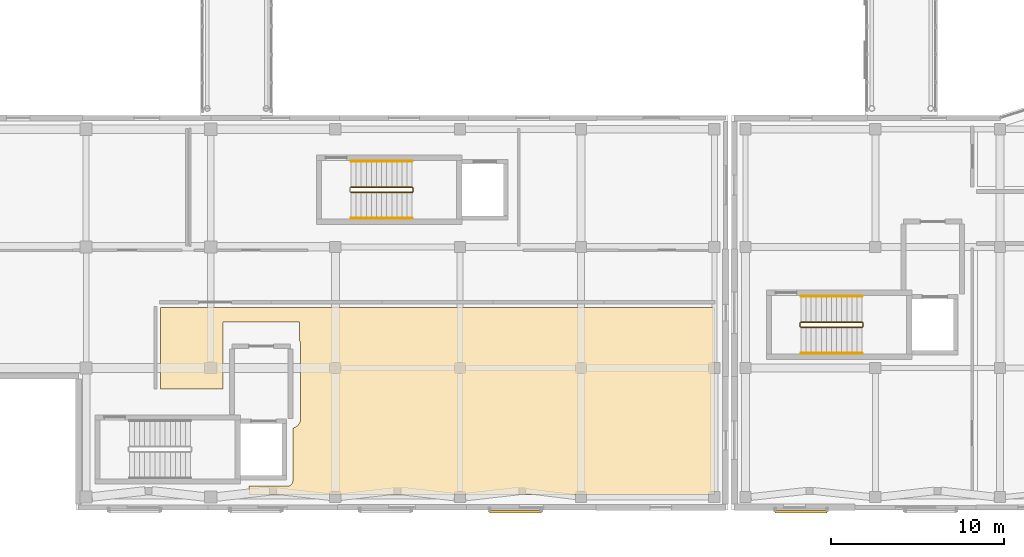
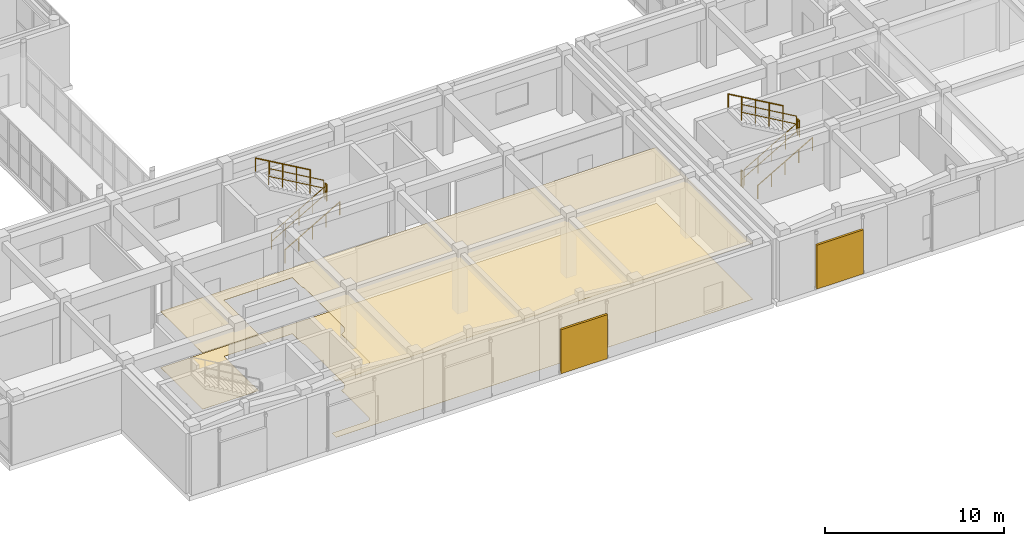
# One storey, part 134 of 142: 11 railings, 2 coverings, 2 shading devices.
"""IFC4 building model written with IfcOpenShell, lengths in metres."""

from ifc_helpers import new_model, si_unit, direction, frame, origin, origin_2d, place, context, subcontext, project, spatial, polyline, rectangle, circle, outline, extrude, material, layer, layer_set, type_object, element, save


model = new_model("IFC4")

# Units and contexts
model_context = context("Model", 3, precision=1e-05, world=origin(), true_north=direction((0.0, 1.0)))
body_context = subcontext(model_context, "Body", "Model", "MODEL_VIEW")
ifc_project = project(units=[si_unit("LENGTHUNIT", "METRE"), si_unit("AREAUNIT", "SQUARE_METRE"), si_unit("VOLUMEUNIT", "CUBIC_METRE"), si_unit("PLANEANGLEUNIT", "RADIAN"), si_unit("MASSUNIT", "GRAM", prefix="KILO")], contexts=[model_context])

# Site, building, storey
site_placement = place(None, origin())
site = spatial("IfcSite", under=ifc_project, at=site_placement, CompositionType="ELEMENT")
building_placement = place(site_placement, origin())
building = spatial("IfcBuilding", under=site, at=building_placement, Name="Valcora Specialist Clinic", CompositionType="ELEMENT")
storey_placement = place(building_placement, frame((0.0, 0.0, 5.10009765625)))
storey = spatial("IfcBuildingStorey", under=building, at=storey_placement, Name="L01", CompositionType="ELEMENT", Elevation=5.10009765625)

# Coverings
ifc_material_1 = material(Name="Acoustic Mineral Ceiling Tile")
ifc_layer_1 = layer(ifc_material_1, 0.02001953125)
ifc_layer_set_1 = layer_set([ifc_layer_1], Name="Acoustic Mineral Ceiling Tile")
covering_type_1 = type_object("IfcCoveringType", Name="TY-CV-CLG020", PredefinedType="CEILING", material=ifc_layer_set_1)
covering_1_placement = place(storey_placement, frame((0.0, 0.0, 3.81982421875)))
element("IfcCovering", 1, at=covering_1_placement, inside=storey, type_object=covering_type_1, Name="Acoustic ceiling tile 11", PredefinedType="CEILING", context=body_context, shape_type="SweptSolid", body=[
    extrude(outline(polyline([(52.5, 11.699951171875), (52.5, 0.89990234375), (25.60009765625, 0.89990234375), (25.60009765625, 1.3798828125), (27.840087890625, 1.3798828125), (27.868896484375, 1.381103515625), (27.89892578125, 1.385986328125), (27.927001953125, 1.39306640625), (27.955078125, 1.403076171875), (27.98095703125, 1.4150390625), (28.007080078125, 1.430908203125), (28.030029296875, 1.447998046875), (28.052001953125, 1.468017578125), (28.072021484375, 1.489990234375), (28.089111328125, 1.512939453125), (28.10498046875, 1.5390625), (28.116943359375, 1.56494140625), (28.126953125, 1.593017578125), (28.134033203125, 1.62109375), (28.138916015625, 1.65087890625), (28.139892578125, 1.679931640625), (28.139892578125, 4.73291015625), (28.153076171875, 4.735107421875), (28.178955078125, 4.741943359375), (28.198974609375, 4.7490234375), (28.22509765625, 4.758056640625), (28.257080078125, 4.77099609375), (28.281982421875, 4.782958984375), (28.302978515625, 4.7939453125), (28.326904296875, 4.80810546875), (28.35888671875, 4.830078125), (28.381103515625, 4.846923828125), (28.39892578125, 4.861083984375), (28.4189453125, 4.87890625), (28.44091796875, 4.90087890625), (28.458984375, 4.9208984375), (28.472900390625, 4.93896484375), (28.489990234375, 4.9609375), (28.511962890625, 4.992919921875), (28.52587890625, 5.01708984375), (28.537109375, 5.0380859375), (28.549072265625, 5.06298828125), (28.56201171875, 5.094970703125), (28.571044921875, 5.12109375), (28.577880859375, 5.14111328125), (28.5849609375, 5.1669921875), (28.592041015625, 5.202880859375), (28.595947265625, 5.23095703125), (28.59912109375, 5.261962890625), (28.60009765625, 5.2890625), (28.60009765625, 5.300048828125), (28.60009765625, 9.5), (28.60009765625, 9.510986328125), (28.59912109375, 9.5380859375), (28.595947265625, 9.569091796875), (28.592041015625, 9.596923828125), (28.5849609375, 9.633056640625), (28.577880859375, 9.658935546875), (28.571044921875, 9.678955078125), (28.56201171875, 9.705078125), (28.549072265625, 9.737060546875), (28.537109375, 9.761962890625), (28.52587890625, 9.782958984375), (28.52001953125, 9.7939453125), (28.52001953125, 10.860107421875), (24.1201171875, 10.860107421875), (24.1201171875, 7.0), (20.5, 7.0), (20.5, 11.699951171875), (52.5, 11.699951171875)])), origin(), (0.0, 0.0, 1.0), 0.02001953125),
])
ifc_material_2 = material(Name="Antimicrobial Vinyl Clinical Flooring")
ifc_layer_2 = layer(ifc_material_2, 0.008056640625)
ifc_layer_set_2 = layer_set([ifc_layer_2], Name="Antimicrobial Vinyl Clinical Flooring")
covering_type_2 = type_object("IfcCoveringType", Name="TY-CV-FLR008", PredefinedType="FLOORING", material=ifc_layer_set_2)
covering_2_placement = place(storey_placement, origin())
element("IfcCovering", 2, at=covering_2_placement, inside=storey, type_object=covering_type_2, Name="Antimicrobial clinical flooring 11", PredefinedType="FLOORING", context=body_context, shape_type="SweptSolid", body=[
    extrude(outline(polyline([(52.5, 11.699951171875), (52.5, 0.89990234375), (25.60009765625, 0.89990234375), (25.60009765625, 1.3798828125), (27.840087890625, 1.3798828125), (27.868896484375, 1.381103515625), (27.89892578125, 1.385986328125), (27.927001953125, 1.39306640625), (27.955078125, 1.403076171875), (27.98095703125, 1.4150390625), (28.007080078125, 1.430908203125), (28.030029296875, 1.447998046875), (28.052001953125, 1.468017578125), (28.072021484375, 1.489990234375), (28.089111328125, 1.512939453125), (28.10498046875, 1.5390625), (28.116943359375, 1.56494140625), (28.126953125, 1.593017578125), (28.134033203125, 1.62109375), (28.138916015625, 1.65087890625), (28.139892578125, 1.679931640625), (28.139892578125, 4.73291015625), (28.153076171875, 4.735107421875), (28.178955078125, 4.741943359375), (28.198974609375, 4.7490234375), (28.22509765625, 4.758056640625), (28.257080078125, 4.77099609375), (28.281982421875, 4.782958984375), (28.302978515625, 4.7939453125), (28.326904296875, 4.80810546875), (28.35888671875, 4.830078125), (28.381103515625, 4.846923828125), (28.39892578125, 4.861083984375), (28.4189453125, 4.87890625), (28.44091796875, 4.90087890625), (28.458984375, 4.9208984375), (28.472900390625, 4.93896484375), (28.489990234375, 4.9609375), (28.511962890625, 4.992919921875), (28.52587890625, 5.01708984375), (28.537109375, 5.0380859375), (28.549072265625, 5.06298828125), (28.56201171875, 5.094970703125), (28.571044921875, 5.12109375), (28.577880859375, 5.14111328125), (28.5849609375, 5.1669921875), (28.592041015625, 5.202880859375), (28.595947265625, 5.23095703125), (28.59912109375, 5.261962890625), (28.60009765625, 5.2890625), (28.60009765625, 5.300048828125), (28.60009765625, 9.5), (28.60009765625, 9.510986328125), (28.59912109375, 9.5380859375), (28.595947265625, 9.569091796875), (28.592041015625, 9.596923828125), (28.5849609375, 9.633056640625), (28.577880859375, 9.658935546875), (28.571044921875, 9.678955078125), (28.56201171875, 9.705078125), (28.549072265625, 9.737060546875), (28.537109375, 9.761962890625), (28.52587890625, 9.782958984375), (28.52001953125, 9.7939453125), (28.52001953125, 10.860107421875), (24.1201171875, 10.860107421875), (24.1201171875, 7.0), (20.5, 7.0), (20.5, 11.699951171875), (52.5, 11.699951171875)])), origin(), (0.0, 0.0, 1.0), 0.0078125),
])

# Railings
ifc_material_3 = material(Name="Stainless Steel AISI 316", Category="steel")
railing_type_1 = type_object("IfcRailingType", Name="TY-RL-GRD112", PredefinedType="GUARDRAIL", material=ifc_material_3)
railing_1_placement = place(storey_placement, frame((31.5, 18.35009765625, 0.169921875)))
element("IfcRailing", 3, at=railing_1_placement, inside=storey, type_object=railing_type_1, Name="L01 ST-V5B stair guard 1", PredefinedType="GUARDRAIL", context=body_context, shape_type="SweptSolid", body=[
    extrude(circle(Radius=0.02392578125, at=origin_2d()), frame((0.0, 0.0, 1.09619140625), z_axis=(0.866428212428, 0.0, 0.499301665038), x_axis=(0.0, 1.0, 0.0)), (0.0, 0.0, 1.0), 4.085693359375),
    extrude(circle(Radius=0.02392578125, at=origin_2d()), frame((0.0, 0.0, 0.56005859375), z_axis=(0.866428212428, 0.0, 0.499301665038), x_axis=(0.0, 1.0, 0.0)), (0.0, 0.0, 1.0), 4.085693359375),
    extrude(circle(Radius=0.02099609375, at=origin_2d()), origin(), (0.0, 0.0, 1.0), 1.072021484375),
    extrude(circle(Radius=0.02099609375, at=origin_2d()), frame((0.885009765625, 0.0, 0.510009765625)), (0.0, 0.0, 1.0), 1.072021484375),
    extrude(circle(Radius=0.02099609375, at=origin_2d()), frame((1.77001953125, 0.0, 1.02001953125)), (0.0, 0.0, 1.0), 1.072021484375),
    extrude(circle(Radius=0.02099609375, at=origin_2d()), frame((2.655029296875, 0.0, 1.530029296875)), (0.0, 0.0, 1.0), 1.072021484375),
    extrude(circle(Radius=0.02099609375, at=origin_2d()), frame((3.5400390625, 0.0, 2.0400390625)), (0.0, 0.0, 1.0), 1.072021484375),
])
railing_2_placement = place(storey_placement, frame((35.090087890625, 18.39990234375, 2.2099609375)))
element("IfcRailing", 4, at=railing_2_placement, inside=storey, type_object=railing_type_1, Name="L01 ST-V5B stair guard 2", PredefinedType="GUARDRAIL", context=body_context, shape_type="SweptSolid", body=[
    extrude(circle(Radius=0.02392578125, at=origin_2d()), frame((0.0, 0.0, 1.09619140625), z_axis=(0.0, 1.0, 0.0), x_axis=(-1.0, 0.0, 0.0)), (0.0, 0.0, 1.0), 0.2001953125),
    extrude(circle(Radius=0.02392578125, at=origin_2d()), frame((0.0, 0.0, 0.56005859375), z_axis=(0.0, 1.0, 0.0), x_axis=(-1.0, 0.0, 0.0)), (0.0, 0.0, 1.0), 0.2001953125),
    extrude(circle(Radius=0.02099609375, at=origin_2d()), origin(), (0.0, 0.0, 1.0), 1.072021484375),
    extrude(circle(Radius=0.02099609375, at=origin_2d()), frame((0.0, 0.2001953125, 0.0)), (0.0, 0.0, 1.0), 1.072021484375),
])
railing_3_placement = place(storey_placement, frame((35.0400390625, 18.64990234375, 2.3798828125)))
element("IfcRailing", 5, at=railing_3_placement, inside=storey, type_object=railing_type_1, Name="L01 ST-V5B stair guard 3", PredefinedType="GUARDRAIL", context=body_context, shape_type="SweptSolid", body=[
    extrude(circle(Radius=0.02392578125, at=origin_2d()), frame((0.0, 0.0, 1.09619140625), z_axis=(-0.866428212428, 0.0, 0.499301665038), x_axis=(0.0, -1.0, 0.0)), (0.0, 0.0, 1.0), 4.085693359375),
    extrude(circle(Radius=0.02392578125, at=origin_2d()), frame((0.0, 0.0, 0.56005859375), z_axis=(-0.866428212428, 0.0, 0.499301665038), x_axis=(0.0, -1.0, 0.0)), (0.0, 0.0, 1.0), 4.085693359375),
    extrude(circle(Radius=0.02099609375, at=origin_2d()), origin(), (0.0, 0.0, 1.0), 1.072021484375),
    extrude(circle(Radius=0.02099609375, at=origin_2d()), frame((-0.885009765625, 0.0, 0.510009765625)), (0.0, 0.0, 1.0), 1.072021484375),
    extrude(circle(Radius=0.02099609375, at=origin_2d()), frame((-1.77001953125, 0.0, 1.02001953125)), (0.0, 0.0, 1.0), 1.072021484375),
    extrude(circle(Radius=0.02099609375, at=origin_2d()), frame((-2.655029296875, 0.0, 1.530029296875)), (0.0, 0.0, 1.0), 1.072021484375),
    extrude(circle(Radius=0.02099609375, at=origin_2d()), frame((-3.5400390625, 0.0, 2.0400390625)), (0.0, 0.0, 1.0), 1.072021484375),
])
railing_4_placement = place(storey_placement, frame((57.5, 10.550048828125, 0.169921875)))
element("IfcRailing", 6, at=railing_4_placement, inside=storey, type_object=railing_type_1, Name="L01 ST-V6A stair guard 1", PredefinedType="GUARDRAIL", context=body_context, shape_type="SweptSolid", body=[
    extrude(circle(Radius=0.02392578125, at=origin_2d()), frame((0.0, 0.0, 1.09619140625), z_axis=(0.866428212428, 0.0, 0.499301665038), x_axis=(0.0, 1.0, 0.0)), (0.0, 0.0, 1.0), 4.085693359375),
    extrude(circle(Radius=0.02392578125, at=origin_2d()), frame((0.0, 0.0, 0.56005859375), z_axis=(0.866428212428, 0.0, 0.499301665038), x_axis=(0.0, 1.0, 0.0)), (0.0, 0.0, 1.0), 4.085693359375),
    extrude(circle(Radius=0.02099609375, at=origin_2d()), origin(), (0.0, 0.0, 1.0), 1.072021484375),
    extrude(circle(Radius=0.02099609375, at=origin_2d()), frame((0.885009765625, 0.0, 0.510009765625)), (0.0, 0.0, 1.0), 1.072021484375),
    extrude(circle(Radius=0.02099609375, at=origin_2d()), frame((1.77001953125, 0.0, 1.02001953125)), (0.0, 0.0, 1.0), 1.072021484375),
    extrude(circle(Radius=0.02099609375, at=origin_2d()), frame((2.655029296875, 0.0, 1.530029296875)), (0.0, 0.0, 1.0), 1.072021484375),
    extrude(circle(Radius=0.02099609375, at=origin_2d()), frame((3.5400390625, 0.0, 2.0400390625)), (0.0, 0.0, 1.0), 1.072021484375),
])
railing_5_placement = place(storey_placement, frame((61.090087890625, 10.60009765625, 2.2099609375)))
element("IfcRailing", 7, at=railing_5_placement, inside=storey, type_object=railing_type_1, Name="L01 ST-V6A stair guard 2", PredefinedType="GUARDRAIL", context=body_context, shape_type="SweptSolid", body=[
    extrude(circle(Radius=0.02392578125, at=origin_2d()), frame((0.0, 0.0, 1.09619140625), z_axis=(0.0, 1.0, 0.0), x_axis=(-1.0, 0.0, 0.0)), (0.0, 0.0, 1.0), 0.199951171875),
    extrude(circle(Radius=0.02392578125, at=origin_2d()), frame((0.0, 0.0, 0.56005859375), z_axis=(0.0, 1.0, 0.0), x_axis=(-1.0, 0.0, 0.0)), (0.0, 0.0, 1.0), 0.199951171875),
    extrude(circle(Radius=0.02099609375, at=origin_2d()), origin(), (0.0, 0.0, 1.0), 1.072021484375),
    extrude(circle(Radius=0.02099609375, at=origin_2d()), frame((0.0, 0.199951171875, 0.0)), (0.0, 0.0, 1.0), 1.072021484375),
])
railing_6_placement = place(storey_placement, frame((61.0400390625, 10.85009765625, 2.3798828125)))
element("IfcRailing", 8, at=railing_6_placement, inside=storey, type_object=railing_type_1, Name="L01 ST-V6A stair guard 3", PredefinedType="GUARDRAIL", context=body_context, shape_type="SweptSolid", body=[
    extrude(circle(Radius=0.02392578125, at=origin_2d()), frame((0.0, 0.0, 1.09619140625), z_axis=(-0.866428212428, 0.0, 0.499301665038), x_axis=(0.0, -1.0, 0.0)), (0.0, 0.0, 1.0), 4.085693359375),
    extrude(circle(Radius=0.02392578125, at=origin_2d()), frame((0.0, 0.0, 0.56005859375), z_axis=(-0.866428212428, 0.0, 0.499301665038), x_axis=(0.0, -1.0, 0.0)), (0.0, 0.0, 1.0), 4.085693359375),
    extrude(circle(Radius=0.02099609375, at=origin_2d()), origin(), (0.0, 0.0, 1.0), 1.072021484375),
    extrude(circle(Radius=0.02099609375, at=origin_2d()), frame((-0.885009765625, 0.0, 0.510009765625)), (0.0, 0.0, 1.0), 1.072021484375),
    extrude(circle(Radius=0.02099609375, at=origin_2d()), frame((-1.77001953125, 0.0, 1.02001953125)), (0.0, 0.0, 1.0), 1.072021484375),
    extrude(circle(Radius=0.02099609375, at=origin_2d()), frame((-2.655029296875, 0.0, 1.530029296875)), (0.0, 0.0, 1.0), 1.072021484375),
    extrude(circle(Radius=0.02099609375, at=origin_2d()), frame((-3.5400390625, 0.0, 2.0400390625)), (0.0, 0.0, 1.0), 1.072021484375),
])
railing_7_placement = place(storey_placement, frame((57.449951171875, 10.60009765625, 0.0)))
element("IfcRailing", 9, at=railing_7_placement, inside=storey, type_object=railing_type_1, Name="L01 ST-V6A stair guard 4", PredefinedType="GUARDRAIL", context=body_context, shape_type="SweptSolid", body=[
    extrude(circle(Radius=0.02392578125, at=origin_2d()), frame((0.0, 0.0, 1.09619140625), z_axis=(0.0, 1.0, 0.0), x_axis=(-1.0, 0.0, 0.0)), (0.0, 0.0, 1.0), 0.199951171875),
    extrude(circle(Radius=0.02392578125, at=origin_2d()), frame((0.0, 0.0, 0.56005859375), z_axis=(0.0, 1.0, 0.0), x_axis=(-1.0, 0.0, 0.0)), (0.0, 0.0, 1.0), 0.199951171875),
    extrude(circle(Radius=0.02099609375, at=origin_2d()), origin(), (0.0, 0.0, 1.0), 1.072021484375),
    extrude(circle(Radius=0.02099609375, at=origin_2d()), frame((0.0, 0.199951171875, 0.0)), (0.0, 0.0, 1.0), 1.072021484375),
])
railing_type_2 = type_object("IfcRailingType", Name="TY-RL-HND092", PredefinedType="HANDRAIL", material=ifc_material_3)
railing_8_placement = place(storey_placement, frame((31.5, 16.85009765625, 0.169921875)))
element("IfcRailing", 10, at=railing_8_placement, inside=storey, type_object=railing_type_2, Name="L01 ST-V5B stair handrail 1", PredefinedType="HANDRAIL", context=body_context, shape_type="SweptSolid", body=[
    extrude(circle(Radius=0.02392578125, at=origin_2d()), frame((0.0, 0.0, 0.89599609375), z_axis=(0.866428212428, 0.0, 0.499301665038), x_axis=(0.0, 1.0, 0.0)), (0.0, 0.0, 1.0), 4.085693359375),
    extrude(circle(Radius=0.02099609375, at=origin_2d()), origin(), (0.0, 0.0, 1.0), 0.871826171875),
    extrude(circle(Radius=0.02099609375, at=origin_2d()), frame((0.885009765625, 0.0, 0.510009765625)), (0.0, 0.0, 1.0), 0.871826171875),
    extrude(circle(Radius=0.02099609375, at=origin_2d()), frame((1.77001953125, 0.0, 1.02001953125)), (0.0, 0.0, 1.0), 0.871826171875),
    extrude(circle(Radius=0.02099609375, at=origin_2d()), frame((2.655029296875, 0.0, 1.530029296875)), (0.0, 0.0, 1.0), 0.871826171875),
    extrude(circle(Radius=0.02099609375, at=origin_2d()), frame((3.5400390625, 0.0, 2.0400390625)), (0.0, 0.0, 1.0), 0.871826171875),
])
railing_9_placement = place(storey_placement, frame((35.0400390625, 20.14990234375, 2.3798828125)))
element("IfcRailing", 11, at=railing_9_placement, inside=storey, type_object=railing_type_2, Name="L01 ST-V5B stair handrail 2", PredefinedType="HANDRAIL", context=body_context, shape_type="SweptSolid", body=[
    extrude(circle(Radius=0.02392578125, at=origin_2d()), frame((0.0, 0.0, 0.89599609375), z_axis=(-0.866428212428, 0.0, 0.499301665038), x_axis=(0.0, -1.0, 0.0)), (0.0, 0.0, 1.0), 4.085693359375),
    extrude(circle(Radius=0.02099609375, at=origin_2d()), origin(), (0.0, 0.0, 1.0), 0.871826171875),
    extrude(circle(Radius=0.02099609375, at=origin_2d()), frame((-0.885009765625, 0.0, 0.510009765625)), (0.0, 0.0, 1.0), 0.871826171875),
    extrude(circle(Radius=0.02099609375, at=origin_2d()), frame((-1.77001953125, 0.0, 1.02001953125)), (0.0, 0.0, 1.0), 0.871826171875),
    extrude(circle(Radius=0.02099609375, at=origin_2d()), frame((-2.655029296875, 0.0, 1.530029296875)), (0.0, 0.0, 1.0), 0.871826171875),
    extrude(circle(Radius=0.02099609375, at=origin_2d()), frame((-3.5400390625, 0.0, 2.0400390625)), (0.0, 0.0, 1.0), 0.871826171875),
])
railing_10_placement = place(storey_placement, frame((57.5, 9.050048828125, 0.169921875)))
element("IfcRailing", 12, at=railing_10_placement, inside=storey, type_object=railing_type_2, Name="L01 ST-V6A stair handrail 1", PredefinedType="HANDRAIL", context=body_context, shape_type="SweptSolid", body=[
    extrude(circle(Radius=0.02392578125, at=origin_2d()), frame((0.0, 0.0, 0.89599609375), z_axis=(0.866428212428, 0.0, 0.499301665038), x_axis=(0.0, 1.0, 0.0)), (0.0, 0.0, 1.0), 4.085693359375),
    extrude(circle(Radius=0.02099609375, at=origin_2d()), origin(), (0.0, 0.0, 1.0), 0.871826171875),
    extrude(circle(Radius=0.02099609375, at=origin_2d()), frame((0.885009765625, 0.0, 0.510009765625)), (0.0, 0.0, 1.0), 0.871826171875),
    extrude(circle(Radius=0.02099609375, at=origin_2d()), frame((1.77001953125, 0.0, 1.02001953125)), (0.0, 0.0, 1.0), 0.871826171875),
    extrude(circle(Radius=0.02099609375, at=origin_2d()), frame((2.655029296875, 0.0, 1.530029296875)), (0.0, 0.0, 1.0), 0.871826171875),
    extrude(circle(Radius=0.02099609375, at=origin_2d()), frame((3.5400390625, 0.0, 2.0400390625)), (0.0, 0.0, 1.0), 0.871826171875),
])
railing_11_placement = place(storey_placement, frame((61.0400390625, 12.35009765625, 2.3798828125)))
element("IfcRailing", 13, at=railing_11_placement, inside=storey, type_object=railing_type_2, Name="L01 ST-V6A stair handrail 2", PredefinedType="HANDRAIL", context=body_context, shape_type="SweptSolid", body=[
    extrude(circle(Radius=0.02392578125, at=origin_2d()), frame((0.0, 0.0, 0.89599609375), z_axis=(-0.866428212428, 0.0, 0.499301665038), x_axis=(0.0, -1.0, 0.0)), (0.0, 0.0, 1.0), 4.085693359375),
    extrude(circle(Radius=0.02099609375, at=origin_2d()), origin(), (0.0, 0.0, 1.0), 0.871826171875),
    extrude(circle(Radius=0.02099609375, at=origin_2d()), frame((-0.885009765625, 0.0, 0.510009765625)), (0.0, 0.0, 1.0), 0.871826171875),
    extrude(circle(Radius=0.02099609375, at=origin_2d()), frame((-1.77001953125, 0.0, 1.02001953125)), (0.0, 0.0, 1.0), 0.871826171875),
    extrude(circle(Radius=0.02099609375, at=origin_2d()), frame((-2.655029296875, 0.0, 1.530029296875)), (0.0, 0.0, 1.0), 0.871826171875),
    extrude(circle(Radius=0.02099609375, at=origin_2d()), frame((-3.5400390625, 0.0, 2.0400390625)), (0.0, 0.0, 1.0), 0.871826171875),
])

# Shading devices
ifc_material_4 = material(Name="Perforated Jalisco Clay Brick Masonry", Category="masonry")
ifc_layer_3 = layer(ifc_material_4, 0.139892578125)
ifc_layer_set_3 = layer_set([ifc_layer_3], Name="Perforated Jalisco Clay Brick Masonry")
shading_device_type = type_object("IfcShadingDeviceType", Name="TY-SD-SCR300", PredefinedType="USERDEFINED", material=ifc_layer_set_3)
for number, where, z_axis, x_axis, name in (
    (14, (41.0, -0.10009765625, 0.119873046875), (0.0, 0.0, 1.0), (1.0, 0.0, 0.0), "Perforated Jalisco brick screen 4"),
    (15, (57.5, -0.10009765625, 0.119873046875), (0.0, 0.0, 1.0), (1.0, 0.0, 0.0), "Perforated Jalisco brick screen 5"),
):
    element("IfcShadingDevice", number, at=place(storey_placement, frame(where, z_axis=z_axis, x_axis=x_axis)), inside=storey, type_object=shading_device_type, Name=name, ObjectType="PERFORATED BRICK SCREEN", PredefinedType="USERDEFINED", context=body_context, shape_type="SweptSolid", body=[
        extrude(rectangle(XDim=3.0, YDim=0.139892578125, at=origin_2d()), origin(), (0.0, 0.0, 1.0), 3.0),
    ])

save(model, "model.ifc")
